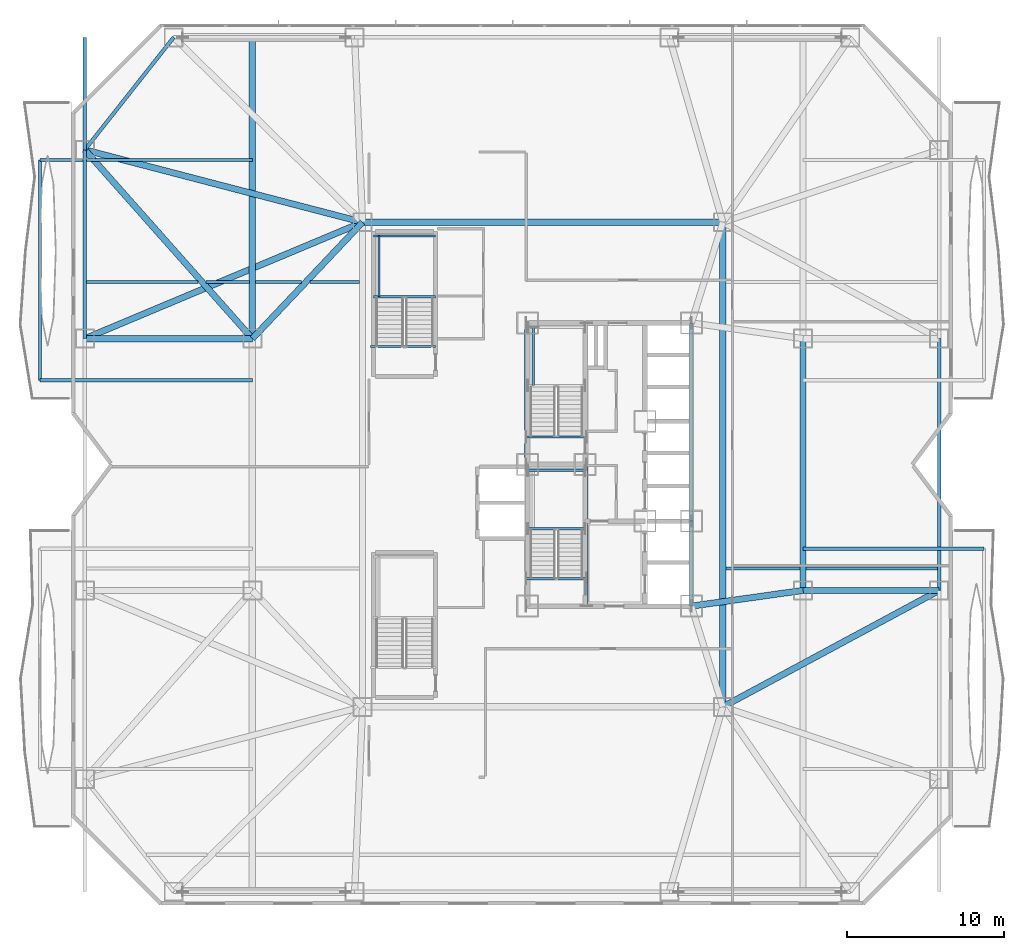
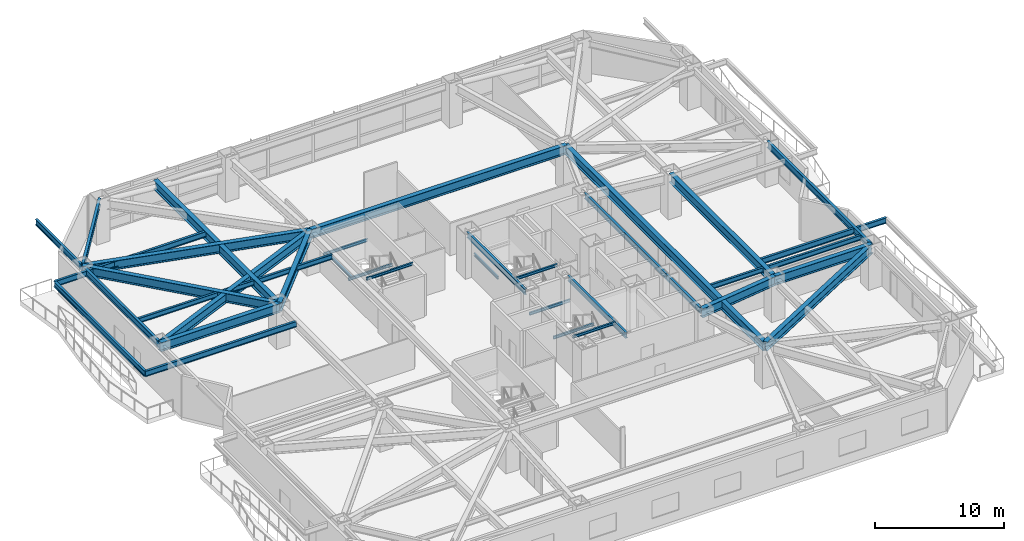
# One storey, part 2 of 25: 39 beams.
"""IFC4 building model written with IfcOpenShell, lengths in metres."""

from ifc_helpers import new_model, si_unit, direction, frame, origin, origin_2d, place, context, subcontext, project, spatial, i_section, extrude, material, material_profile, profile_set, type_object, element, save


model = new_model("IFC4")

# Units and contexts
model_context = context("Model", 3, precision=1e-05, world=origin(), true_north=direction((0.0, 1.0)))
body_context = subcontext(model_context, "Body", "Model", "MODEL_VIEW")
ifc_project = project(units=[si_unit("LENGTHUNIT", "METRE"), si_unit("AREAUNIT", "SQUARE_METRE"), si_unit("VOLUMEUNIT", "CUBIC_METRE"), si_unit("PLANEANGLEUNIT", "RADIAN"), si_unit("MASSUNIT", "GRAM", prefix="KILO")], contexts=[model_context])

# Site, building, storey
site_placement = place(None, origin())
site = spatial("IfcSite", under=ifc_project, at=site_placement, CompositionType="ELEMENT")
building_placement = place(site_placement, origin())
building = spatial("IfcBuilding", under=site, at=building_placement, Name="Khamvora Tower", CompositionType="ELEMENT")
storey_placement = place(building_placement, frame((0.0, 0.0, 16.199951171875)))
storey = spatial("IfcBuildingStorey", under=building, at=storey_placement, Name="L03", CompositionType="ELEMENT", Elevation=16.199951171875)

# Beams
ifc_material = material(Name="Steel S355", Category="steel")
ifc_material_profile_1 = material_profile(ifc_material, i_section(OverallWidth=0.19189453125, OverallDepth=0.462890625, WebThickness=0.010986328125, FlangeThickness=0.01806640625, FilletRadius=0.011962890625, at=origin_2d()), Name="W460x89")
ifc_profile_set_1 = profile_set([ifc_material_profile_1], Name="Steel S355")
beam_type_1 = type_object("IfcBeamType", Name="BM-JS-W460x89", PredefinedType="JOIST", material=ifc_profile_set_1)
beam_1_placement = place(storey_placement, frame((41.594970703125, 21.39990234375, 3.68896484375), z_axis=(1.0, 0.0, 0.0), x_axis=(0.0, 1.0, 0.0)))
element("IfcBeam", 1, at=beam_1_placement, inside=storey, type_object=beam_type_1, Name="L03 secondary floor joist 09", PredefinedType="JOIST", context=body_context, shape_type="SweptSolid", body=[
    extrude(i_section(OverallWidth=0.19189453125, OverallDepth=0.462890625, WebThickness=0.010986328125, FlangeThickness=0.01806640625, FilletRadius=0.011962890625, at=origin_2d()), origin(), (0.0, 0.0, 1.0), 4.7099609375),
])
beam_2_placement = place(storey_placement, frame((46.695068359375, 21.39990234375, 3.68896484375), z_axis=(1.0, 0.0, 0.0), x_axis=(0.0, 1.0, 0.0)))
element("IfcBeam", 2, at=beam_2_placement, inside=storey, type_object=beam_type_1, Name="L03 secondary floor joist 10", PredefinedType="JOIST", context=body_context, shape_type="SweptSolid", body=[
    extrude(i_section(OverallWidth=0.19189453125, OverallDepth=0.462890625, WebThickness=0.010986328125, FlangeThickness=0.01806640625, FilletRadius=0.011962890625, at=origin_2d()), origin(), (0.0, 0.0, 1.0), 8.344970703125),
])
beam_3_placement = place(storey_placement, frame((0.9599609375, 39.60009765625, 3.68896484375), z_axis=(1.0, 0.0, 0.0), x_axis=(0.0, 1.0, 0.0)))
element("IfcBeam", 3, at=beam_3_placement, inside=storey, type_object=beam_type_1, Name="L03 secondary floor joist 11", PredefinedType="JOIST", context=body_context, shape_type="SweptSolid", body=[
    extrude(i_section(OverallWidth=0.19189453125, OverallDepth=0.462890625, WebThickness=0.010986328125, FlangeThickness=0.01806640625, FilletRadius=0.011962890625, at=origin_2d()), origin(), (0.0, 0.0, 1.0), 7.0830078125),
])
beam_4_placement = place(storey_placement, frame((8.56689453125, 39.60009765625, 3.68896484375), z_axis=(1.0, 0.0, 0.0), x_axis=(0.0, 1.0, 0.0)))
element("IfcBeam", 4, at=beam_4_placement, inside=storey, type_object=beam_type_1, Name="L03 secondary floor joist 12", PredefinedType="JOIST", context=body_context, shape_type="SweptSolid", body=[
    extrude(i_section(OverallWidth=0.19189453125, OverallDepth=0.462890625, WebThickness=0.010986328125, FlangeThickness=0.01806640625, FilletRadius=0.011962890625, at=origin_2d()), origin(), (0.0, 0.0, 1.0), 2.738037109375),
])
beam_5_placement = place(storey_placement, frame((11.695068359375, 39.60009765625, 3.68896484375), z_axis=(1.0, 0.0, 0.0), x_axis=(0.0, 1.0, 0.0)))
element("IfcBeam", 5, at=beam_5_placement, inside=storey, type_object=beam_type_1, Name="L03 secondary floor joist 13", PredefinedType="JOIST", context=body_context, shape_type="SweptSolid", body=[
    extrude(i_section(OverallWidth=0.19189453125, OverallDepth=0.462890625, WebThickness=0.010986328125, FlangeThickness=0.01806640625, FilletRadius=0.011962890625, at=origin_2d()), origin(), (0.0, 0.0, 1.0), 2.93994140625),
])
beam_6_placement = place(storey_placement, frame((15.176025390625, 39.60009765625, 3.68896484375), z_axis=(1.0, 0.0, 0.0), x_axis=(0.0, 1.0, 0.0)))
element("IfcBeam", 6, at=beam_6_placement, inside=storey, type_object=beam_type_1, Name="L03 secondary floor joist 14", PredefinedType="JOIST", context=body_context, shape_type="SweptSolid", body=[
    extrude(i_section(OverallWidth=0.19189453125, OverallDepth=0.462890625, WebThickness=0.010986328125, FlangeThickness=0.01806640625, FilletRadius=0.011962890625, at=origin_2d()), origin(), (0.0, 0.0, 1.0), 3.12890625),
])
ifc_material_profile_2 = material_profile(ifc_material, i_section(OverallWidth=0.14697265625, OverallDepth=0.261962890625, WebThickness=0.007080078125, FlangeThickness=0.010986328125, FilletRadius=0.008056640625, at=origin_2d()), Name="W250x39")
ifc_profile_set_2 = profile_set([ifc_material_profile_2], Name="Steel S355")
beam_type_2 = type_object("IfcBeamType", Name="BM-LN-W250x39", PredefinedType="LINTEL", material=ifc_profile_set_2)
for number, where, z_axis, x_axis, name in (
    (7, (29.0, 23.9150390625, 1.76904296875), (1.0, 0.0, 0.0), (0.0, 1.0, 0.0), "L03 ST-01 half-landing support beam 1.1"),
    (8, (29.0, 27.6298828125, 1.76904296875), (1.0, 0.0, 0.0), (0.0, 1.0, 0.0), "L03 ST-01 half-landing support beam 1.2"),
):
    element("IfcBeam", number, at=place(storey_placement, frame(where, z_axis=z_axis, x_axis=x_axis)), inside=storey, type_object=beam_type_2, Name=name, PredefinedType="LINTEL", context=body_context, shape_type="SweptSolid", body=[
        extrude(i_section(OverallWidth=0.14697265625, OverallDepth=0.261962890625, WebThickness=0.007080078125, FlangeThickness=0.010986328125, FilletRadius=0.008056640625, at=origin_2d()), origin(), (0.0, 0.0, 1.0), 3.64990234375),
    ])
beam_7_placement = place(storey_placement, frame((29.35009765625, 33.014892578125, 1.76904296875), z_axis=(0.0, 1.0, 0.0), x_axis=(-1.0, 0.0, 0.0)))
element("IfcBeam", 9, at=beam_7_placement, inside=storey, type_object=beam_type_2, Name="L03 ST-02 half-landing edge stringer 1", PredefinedType="LINTEL", context=body_context, shape_type="SweptSolid", body=[
    extrude(i_section(OverallWidth=0.14697265625, OverallDepth=0.261962890625, WebThickness=0.007080078125, FlangeThickness=0.010986328125, FilletRadius=0.008056640625, at=origin_2d()), origin(), (0.0, 0.0, 1.0), 3.715087890625),
])
for number, where, z_axis, x_axis, name in (
    (10, (19.199951171875, 38.6650390625, 1.76904296875), (1.0, 0.0, 0.0), (0.0, 1.0, 0.0), "L03 ST-04 half-landing support beam 1.1"),
    (11, (19.199951171875, 42.530029296875, 1.76904296875), (1.0, 0.0, 0.0), (0.0, 1.0, 0.0), "L03 ST-04 half-landing support beam 1.2"),
):
    element("IfcBeam", number, at=place(storey_placement, frame(where, z_axis=z_axis, x_axis=x_axis)), inside=storey, type_object=beam_type_2, Name=name, PredefinedType="LINTEL", context=body_context, shape_type="SweptSolid", body=[
        extrude(i_section(OverallWidth=0.14697265625, OverallDepth=0.261962890625, WebThickness=0.007080078125, FlangeThickness=0.010986328125, FilletRadius=0.008056640625, at=origin_2d()), origin(), (0.0, 0.0, 1.0), 3.949951171875),
    ])
beam_8_placement = place(storey_placement, frame((19.550048828125, 38.6650390625, 1.76904296875), z_axis=(0.0, 1.0, 0.0), x_axis=(-1.0, 0.0, 0.0)))
element("IfcBeam", 12, at=beam_8_placement, inside=storey, type_object=beam_type_2, Name="L03 ST-04 half-landing edge stringer 1", PredefinedType="LINTEL", context=body_context, shape_type="SweptSolid", body=[
    extrude(i_section(OverallWidth=0.14697265625, OverallDepth=0.261962890625, WebThickness=0.007080078125, FlangeThickness=0.010986328125, FilletRadius=0.008056640625, at=origin_2d()), origin(), (0.0, 0.0, 1.0), 3.864990234375),
])
for number, where, z_axis, x_axis, name in (
    (13, (28.89990234375, 20.75, 3.7939453125), (1.0, 0.0, 0.0), (0.0, 1.0, 0.0), "L03 exit stair ST-01 landing trimmer beam"),
    (14, (28.89990234375, 29.75, 3.7939453125), (1.0, 0.0, 0.0), (0.0, 1.0, 0.0), "L03 exit stair ST-02 landing trimmer beam"),
):
    element("IfcBeam", number, at=place(storey_placement, frame(where, z_axis=z_axis, x_axis=x_axis)), inside=storey, type_object=beam_type_2, Name=name, PredefinedType="LINTEL", context=body_context, shape_type="SweptSolid", body=[
        extrude(i_section(OverallWidth=0.14697265625, OverallDepth=0.261962890625, WebThickness=0.007080078125, FlangeThickness=0.010986328125, FilletRadius=0.008056640625, at=origin_2d()), origin(), (0.0, 0.0, 1.0), 3.830078125),
    ])
beam_9_placement = place(storey_placement, frame((19.0, 35.5, 3.7939453125), z_axis=(1.0, 0.0, 0.0), x_axis=(0.0, 1.0, 0.0)))
element("IfcBeam", 15, at=beam_9_placement, inside=storey, type_object=beam_type_2, Name="L03 podium stair ST04 landing trimmer beam", PredefinedType="LINTEL", context=body_context, shape_type="SweptSolid", body=[
    extrude(i_section(OverallWidth=0.14697265625, OverallDepth=0.261962890625, WebThickness=0.007080078125, FlangeThickness=0.010986328125, FilletRadius=0.008056640625, at=origin_2d()), origin(), (0.0, 0.0, 1.0), 4.14990234375),
])
ifc_material_profile_3 = material_profile(ifc_material, i_section(OverallWidth=0.39990234375, OverallDepth=0.85498046875, WebThickness=0.01806640625, FlangeThickness=0.029052734375, FilletRadius=0.01806640625, at=origin_2d()), Name="W840x299")
ifc_profile_set_3 = profile_set([ifc_material_profile_3], Name="Steel S355")
beam_type_3 = type_object("IfcBeamType", Name="BM-PG-W840x299", PredefinedType="BEAM", material=ifc_profile_set_3)
beam_10_placement = place(storey_placement, frame((41.39990234375, 12.60009765625, 3.4931640625), z_axis=(0.0, 1.0, 0.0), x_axis=(-1.0, 0.0, 0.0)))
element("IfcBeam", 16, at=beam_10_placement, inside=storey, type_object=beam_type_3, Name="L03 longitudinal frame girder P18-P20", PredefinedType="BEAM", context=body_context, shape_type="SweptSolid", body=[
    extrude(i_section(OverallWidth=0.39990234375, OverallDepth=0.85498046875, WebThickness=0.01806640625, FlangeThickness=0.029052734375, FilletRadius=0.01806640625, at=origin_2d()), origin(), (0.0, 0.0, 1.0), 30.7998046875),
])
beam_11_placement = place(storey_placement, frame((18.5, 43.39990234375, 3.4931640625), z_axis=(1.0, 0.0, 0.0), x_axis=(0.0, 1.0, 0.0)))
element("IfcBeam", 17, at=beam_11_placement, inside=storey, type_object=beam_type_3, Name="L03 longitudinal frame girder P19-P20", PredefinedType="BEAM", context=body_context, shape_type="SweptSolid", body=[
    extrude(i_section(OverallWidth=0.39990234375, OverallDepth=0.85498046875, WebThickness=0.01806640625, FlangeThickness=0.029052734375, FilletRadius=0.01806640625, at=origin_2d()), origin(), (0.0, 0.0, 1.0), 22.89990234375),
])
beam_12_placement = place(storey_placement, frame((46.5, 20.0, 3.4931640625), z_axis=(0.0, 1.0, 0.0), x_axis=(-1.0, 0.0, 0.0)))
element("IfcBeam", 18, at=beam_12_placement, inside=storey, type_object=beam_type_3, Name="L03 longitudinal frame girder P23-P24", PredefinedType="BEAM", context=body_context, shape_type="SweptSolid", body=[
    extrude(i_section(OverallWidth=0.39990234375, OverallDepth=0.85498046875, WebThickness=0.01806640625, FlangeThickness=0.029052734375, FilletRadius=0.01806640625, at=origin_2d()), origin(), (0.0, 0.0, 1.0), 16.0),
])
beam_13_placement = place(storey_placement, frame((11.5, 36.0, 3.4931640625), z_axis=(-1.0, 0.0, 0.0), x_axis=(0.0, -1.0, 0.0)))
element("IfcBeam", 19, at=beam_13_placement, inside=storey, type_object=beam_type_3, Name="L03 primary floor girder P11", PredefinedType="BEAM", context=body_context, shape_type="SweptSolid", body=[
    extrude(i_section(OverallWidth=0.39990234375, OverallDepth=0.85498046875, WebThickness=0.01806640625, FlangeThickness=0.029052734375, FilletRadius=0.01806640625, at=origin_2d()), origin(), (0.0, 0.0, 1.0), 10.64990234375),
])
beam_14_placement = place(storey_placement, frame((11.5, 36.0, 3.4931640625), z_axis=(-0.6637799472, 0.747927925468, 0.0), x_axis=(-0.747927925468, -0.6637799472, 0.0)))
element("IfcBeam", 20, at=beam_14_placement, inside=storey, type_object=beam_type_3, Name="L03 primary floor girder P12", PredefinedType="BEAM", context=body_context, shape_type="SweptSolid", body=[
    extrude(i_section(OverallWidth=0.39990234375, OverallDepth=0.85498046875, WebThickness=0.01806640625, FlangeThickness=0.029052734375, FilletRadius=0.01806640625, at=origin_2d()), origin(), (0.0, 0.0, 1.0), 16.04443359375),
])
beam_15_placement = place(storey_placement, frame((46.5, 20.0, 3.4931640625), z_axis=(1.0, 0.0, 0.0), x_axis=(0.0, 1.0, 0.0)))
element("IfcBeam", 21, at=beam_15_placement, inside=storey, type_object=beam_type_3, Name="L03 primary floor girder P14", PredefinedType="BEAM", context=body_context, shape_type="SweptSolid", body=[
    extrude(i_section(OverallWidth=0.39990234375, OverallDepth=0.85498046875, WebThickness=0.01806640625, FlangeThickness=0.029052734375, FilletRadius=0.01806640625, at=origin_2d()), origin(), (0.0, 0.0, 1.0), 8.64990234375),
])
beam_16_placement = place(storey_placement, frame((18.5, 43.39990234375, 3.4931640625), z_axis=(-0.687204640029, -0.726463889483, 0.0), x_axis=(0.726463889483, -0.687204640029, 0.0)))
element("IfcBeam", 22, at=beam_16_placement, inside=storey, type_object=beam_type_3, Name="L03 primary floor girder P22", PredefinedType="BEAM", context=body_context, shape_type="SweptSolid", body=[
    extrude(i_section(OverallWidth=0.39990234375, OverallDepth=0.85498046875, WebThickness=0.01806640625, FlangeThickness=0.029052734375, FilletRadius=0.01806640625, at=origin_2d()), origin(), (0.0, 0.0, 1.0), 10.186279296875),
])
beam_17_placement = place(storey_placement, frame((39.39990234375, 19.0, 3.4931640625), z_axis=(0.990226770029, 0.139466640879, 0.0), x_axis=(-0.139466640879, 0.990226770029, 0.0)))
element("IfcBeam", 23, at=beam_17_placement, inside=storey, type_object=beam_type_3, Name="L03 primary floor girder P23", PredefinedType="BEAM", context=body_context, shape_type="SweptSolid", body=[
    extrude(i_section(OverallWidth=0.39990234375, OverallDepth=0.85498046875, WebThickness=0.01806640625, FlangeThickness=0.029052734375, FilletRadius=0.01806640625, at=origin_2d()), origin(), (0.0, 0.0, 1.0), 7.170166015625),
])
beam_18_placement = place(storey_placement, frame((55.14990234375, 20.0, 3.4931640625), z_axis=(-0.880576508414, -0.473904012252, 0.0), x_axis=(0.473904012252, -0.880576508414, 0.0)))
element("IfcBeam", 24, at=beam_18_placement, inside=storey, type_object=beam_type_3, Name="L03 east plinth tie girder 2", PredefinedType="BEAM", context=body_context, shape_type="SweptSolid", body=[
    extrude(i_section(OverallWidth=0.39990234375, OverallDepth=0.85498046875, WebThickness=0.01806640625, FlangeThickness=0.029052734375, FilletRadius=0.01806640625, at=origin_2d()), origin(), (0.0, 0.0, 1.0), 15.61474609375),
])
beam_19_placement = place(storey_placement, frame((0.85009765625, 36.0, 3.4931640625), z_axis=(0.922225491396, 0.386652483529, 0.0), x_axis=(-0.386652483529, 0.922225491396, 0.0)))
element("IfcBeam", 25, at=beam_19_placement, inside=storey, type_object=beam_type_3, Name="L03 west plinth tie girder 3", PredefinedType="BEAM", context=body_context, shape_type="SweptSolid", body=[
    extrude(i_section(OverallWidth=0.39990234375, OverallDepth=0.85498046875, WebThickness=0.01806640625, FlangeThickness=0.029052734375, FilletRadius=0.01806640625, at=origin_2d()), origin(), (0.0, 0.0, 1.0), 19.138427734375),
])
beam_20_placement = place(storey_placement, frame((0.85009765625, 48.0, 3.4931640625), z_axis=(0.967673821538, -0.252205025942, 0.0), x_axis=(0.252205025942, 0.967673821538, 0.0)))
element("IfcBeam", 26, at=beam_20_placement, inside=storey, type_object=beam_type_3, Name="L03 west plinth tie girder 4", PredefinedType="BEAM", context=body_context, shape_type="SweptSolid", body=[
    extrude(i_section(OverallWidth=0.39990234375, OverallDepth=0.85498046875, WebThickness=0.01806640625, FlangeThickness=0.029052734375, FilletRadius=0.01806640625, at=origin_2d()), origin(), (0.0, 0.0, 1.0), 18.239501953125),
])
beam_21_placement = place(storey_placement, frame((11.5, 36.0, 3.4931640625), z_axis=(0.0, 1.0, 0.0), x_axis=(-1.0, 0.0, 0.0)))
element("IfcBeam", 27, at=beam_21_placement, inside=storey, type_object=beam_type_3, Name="L03 gallery collector girder W.3", PredefinedType="BEAM", context=body_context, shape_type="SweptSolid", body=[
    extrude(i_section(OverallWidth=0.39990234375, OverallDepth=0.85498046875, WebThickness=0.01806640625, FlangeThickness=0.029052734375, FilletRadius=0.01806640625, at=origin_2d()), origin(), (0.0, 0.0, 1.0), 19.14990234375),
])
ifc_material_profile_4 = material_profile(ifc_material, i_section(OverallWidth=0.2119140625, OverallDepth=0.5439453125, WebThickness=0.012939453125, FlangeThickness=0.02099609375, FilletRadius=0.013916015625, at=origin_2d()), Name="W530x123")
ifc_profile_set_4 = profile_set([ifc_material_profile_4], Name="Steel S355")
beam_type_4 = type_object("IfcBeamType", Name="BM-SP-W530x123", PredefinedType="SPANDREL", material=ifc_profile_set_4)
beam_22_placement = place(storey_placement, frame((0.85009765625, 48.0, 3.64794921875), z_axis=(0.0, 1.0, 0.0), x_axis=(-1.0, 0.0, 0.0)))
element("IfcBeam", 28, at=beam_22_placement, inside=storey, type_object=beam_type_4, Name="L03 W perimeter edge spandrel 5", PredefinedType="SPANDREL", context=body_context, shape_type="SweptSolid", body=[
    extrude(i_section(OverallWidth=0.2119140625, OverallDepth=0.5439453125, WebThickness=0.012939453125, FlangeThickness=0.02099609375, FilletRadius=0.013916015625, at=origin_2d()), origin(), (0.0, 0.0, 1.0), 7.14990234375),
])
ifc_material_profile_5 = material_profile(ifc_material, i_section(OverallWidth=0.208984375, OverallDepth=0.532958984375, WebThickness=0.010009765625, FlangeThickness=0.01611328125, FilletRadius=0.013916015625, at=origin_2d()), Name="W530x92")
ifc_profile_set_5 = profile_set([ifc_material_profile_5], Name="Steel S355")
beam_type_5 = type_object("IfcBeamType", Name="BM-SP-W530x92", PredefinedType="SPANDREL", material=ifc_profile_set_5)
for number, where, z_axis, x_axis, name in (
    (29, (28.89990234375, 28.0, 3.654052734375), (0.0, 1.0, 0.0), (-1.0, 0.0, 0.0), "L03 core spine girder WN"),
    (30, (32.72998046875, 19.0, 3.654052734375), (0.0, 1.0, 0.0), (-1.0, 0.0, 0.0), "L03 core spine girder M1S"),
):
    element("IfcBeam", number, at=place(storey_placement, frame(where, z_axis=z_axis, x_axis=x_axis)), inside=storey, type_object=beam_type_5, Name=name, PredefinedType="SPANDREL", context=body_context, shape_type="SweptSolid", body=[
        extrude(i_section(OverallWidth=0.208984375, OverallDepth=0.532958984375, WebThickness=0.010009765625, FlangeThickness=0.01611328125, FilletRadius=0.013916015625, at=origin_2d()), origin(), (0.0, 0.0, 1.0), 9.0),
    ])
beam_23_placement = place(storey_placement, frame((39.39990234375, 19.0, 3.654052734375), z_axis=(0.0, 1.0, 0.0), x_axis=(-1.0, 0.0, 0.0)))
element("IfcBeam", 31, at=beam_23_placement, inside=storey, type_object=beam_type_5, Name="L03 core spine girder ES", PredefinedType="SPANDREL", context=body_context, shape_type="SweptSolid", body=[
    extrude(i_section(OverallWidth=0.208984375, OverallDepth=0.532958984375, WebThickness=0.010009765625, FlangeThickness=0.01611328125, FilletRadius=0.013916015625, at=origin_2d()), origin(), (0.0, 0.0, 1.0), 5.39990234375),
])
beam_24_placement = place(storey_placement, frame((39.39990234375, 24.39990234375, 3.654052734375), z_axis=(0.0, 1.0, 0.0), x_axis=(-1.0, 0.0, 0.0)))
element("IfcBeam", 32, at=beam_24_placement, inside=storey, type_object=beam_type_5, Name="L03 core spine girder EN", PredefinedType="SPANDREL", context=body_context, shape_type="SweptSolid", body=[
    extrude(i_section(OverallWidth=0.208984375, OverallDepth=0.532958984375, WebThickness=0.010009765625, FlangeThickness=0.01611328125, FilletRadius=0.013916015625, at=origin_2d()), origin(), (0.0, 0.0, 1.0), 12.60009765625),
])
beam_25_placement = place(storey_placement, frame((46.5, 22.64990234375, 3.512939453125), z_axis=(1.0, 0.0, 0.0), x_axis=(0.0, 1.0, 0.0)))
element("IfcBeam", 33, at=beam_25_placement, inside=storey, type_object=beam_type_5, Name="L03 continuous gallery cantilever girder L04-EL1-2", PredefinedType="SPANDREL", context=body_context, shape_type="SweptSolid", body=[
    extrude(i_section(OverallWidth=0.208984375, OverallDepth=0.532958984375, WebThickness=0.010009765625, FlangeThickness=0.01611328125, FilletRadius=0.013916015625, at=origin_2d()), origin(), (0.0, 0.0, 1.0), 11.5),
])
for number, where, z_axis, x_axis, name in (
    (34, (11.5, 33.35009765625, 3.512939453125), (-1.0, 0.0, 0.0), (0.0, -1.0, 0.0), "L03 continuous gallery cantilever girder L04-WL2-1"),
    (35, (11.5, 47.35009765625, 3.512939453125), (-1.0, 0.0, 0.0), (0.0, -1.0, 0.0), "L03 continuous gallery cantilever girder L04-WL2-2"),
):
    element("IfcBeam", number, at=place(storey_placement, frame(where, z_axis=z_axis, x_axis=x_axis)), inside=storey, type_object=beam_type_5, Name=name, PredefinedType="SPANDREL", context=body_context, shape_type="SweptSolid", body=[
        extrude(i_section(OverallWidth=0.208984375, OverallDepth=0.532958984375, WebThickness=0.010009765625, FlangeThickness=0.01611328125, FilletRadius=0.013916015625, at=origin_2d()), origin(), (0.0, 0.0, 1.0), 13.5),
    ])
beam_26_placement = place(storey_placement, frame((-2.0, 33.35009765625, 3.512939453125), z_axis=(0.0, 1.0, 0.0), x_axis=(-1.0, 0.0, 0.0)))
element("IfcBeam", 36, at=beam_26_placement, inside=storey, type_object=beam_type_5, Name="L03 external gallery edge header beam L04-WL2", PredefinedType="SPANDREL", context=body_context, shape_type="SweptSolid", body=[
    extrude(i_section(OverallWidth=0.208984375, OverallDepth=0.532958984375, WebThickness=0.010009765625, FlangeThickness=0.01611328125, FilletRadius=0.013916015625, at=origin_2d()), origin(), (0.0, 0.0, 1.0), 14.0),
])
ifc_material_profile_6 = material_profile(ifc_material, i_section(OverallWidth=0.22998046875, OverallDepth=0.616943359375, WebThickness=0.012939453125, FlangeThickness=0.02197265625, FilletRadius=0.013916015625, at=origin_2d()), Name="W610x140")
ifc_profile_set_6 = profile_set([ifc_material_profile_6], Name="Steel S355")
beam_type_6 = type_object("IfcBeamType", Name="BM-SP-W610x140", PredefinedType="SPANDREL", material=ifc_profile_set_6)
beam_27_placement = place(storey_placement, frame((55.14990234375, 20.0, 3.612060546875), z_axis=(0.0, 1.0, 0.0), x_axis=(-1.0, 0.0, 0.0)))
element("IfcBeam", 37, at=beam_27_placement, inside=storey, type_object=beam_type_6, Name="L03 perimeter spandrel beam P14-P15", PredefinedType="SPANDREL", context=body_context, shape_type="SweptSolid", body=[
    extrude(i_section(OverallWidth=0.22998046875, OverallDepth=0.616943359375, WebThickness=0.012939453125, FlangeThickness=0.02197265625, FilletRadius=0.013916015625, at=origin_2d()), origin(), (0.0, 0.0, 1.0), 16.0),
])
beam_28_placement = place(storey_placement, frame((6.5, 55.14990234375, 3.612060546875), z_axis=(-0.619998635429, -0.784602888133, 0.0), x_axis=(0.784602888133, -0.619998635429, 0.0)))
element("IfcBeam", 38, at=beam_28_placement, inside=storey, type_object=beam_type_6, Name="L03 perimeter spandrel beam P05-P12", PredefinedType="SPANDREL", context=body_context, shape_type="SweptSolid", body=[
    extrude(i_section(OverallWidth=0.22998046875, OverallDepth=0.616943359375, WebThickness=0.012939453125, FlangeThickness=0.02197265625, FilletRadius=0.013916015625, at=origin_2d()), origin(), (0.0, 0.0, 1.0), 9.11279296875),
])
beam_29_placement = place(storey_placement, frame((0.85009765625, 48.0, 3.612060546875), z_axis=(0.0, -1.0, 0.0), x_axis=(1.0, 0.0, 0.0)))
element("IfcBeam", 39, at=beam_29_placement, inside=storey, type_object=beam_type_6, Name="L03 perimeter spandrel beam P12-P11", PredefinedType="SPANDREL", context=body_context, shape_type="SweptSolid", body=[
    extrude(i_section(OverallWidth=0.22998046875, OverallDepth=0.616943359375, WebThickness=0.012939453125, FlangeThickness=0.02197265625, FilletRadius=0.013916015625, at=origin_2d()), origin(), (0.0, 0.0, 1.0), 12.0),
])

save(model, "model.ifc")
